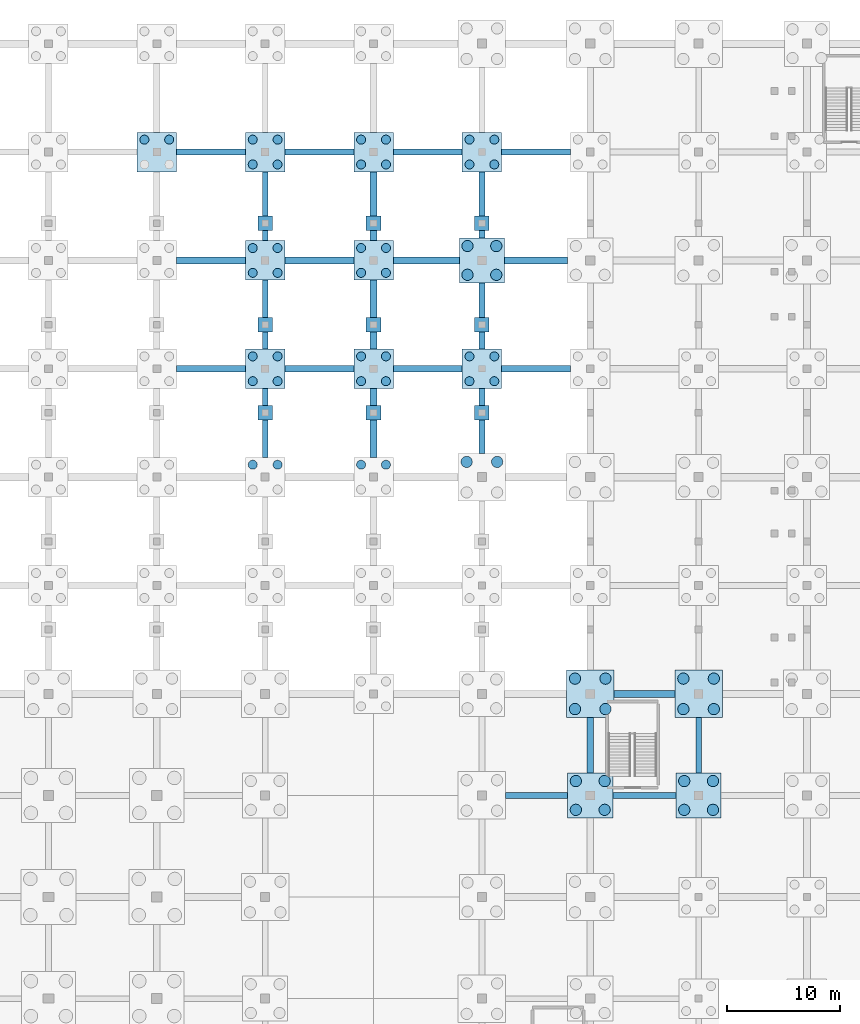
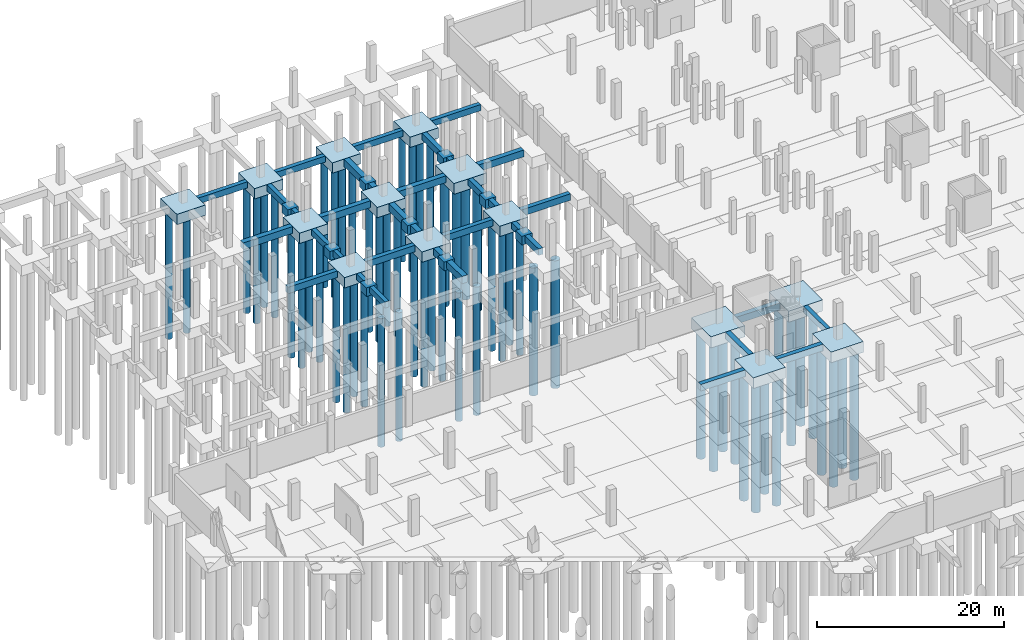
# One storey, part 8 of 39: 60 piles, 58 footings.
"""IFC4 building model written with IfcOpenShell, lengths in metres."""

from ifc_helpers import new_model, si_unit, direction, frame, origin, origin_2d, place, context, subcontext, project, spatial, polyline, rectangle, circle, outline, extrude, material, material_profile, profile_set, type_object, element, save


model = new_model("IFC4")

# Units and contexts
model_context = context("Model", 3, precision=1e-05, world=origin(), true_north=direction((0.0, 1.0)))
body_context = subcontext(model_context, "Body", "Model", "MODEL_VIEW")
ifc_project = project(units=[si_unit("LENGTHUNIT", "METRE"), si_unit("AREAUNIT", "SQUARE_METRE"), si_unit("VOLUMEUNIT", "CUBIC_METRE"), si_unit("PLANEANGLEUNIT", "RADIAN"), si_unit("MASSUNIT", "GRAM", prefix="KILO")], contexts=[model_context])

# Site, building, storey
site_placement = place(None, origin())
site = spatial("IfcSite", under=ifc_project, at=site_placement, CompositionType="ELEMENT")
building_placement = place(site_placement, origin())
building = spatial("IfcBuilding", under=site, at=building_placement, Name="Zarnetskaya Central Station", CompositionType="ELEMENT")
storey_placement = place(building_placement, frame((0.0, 0.0, -4.800048828125)))
storey = spatial("IfcBuildingStorey", under=building, at=storey_placement, Name="B1", CompositionType="ELEMENT", Elevation=-4.800048828125)

# Footings
ifc_material_1 = material(Name="Concrete C30/37", Category="concrete")
footing_type_1 = type_object("IfcFootingType", Name="FB-500x800", PredefinedType="FOOTING_BEAM", material=ifc_material_1)
footing_1_placement = place(storey_placement, frame((0.0, 0.0, -0.800048828125)))
element("IfcFooting", 1, at=footing_1_placement, inside=storey, type_object=footing_type_1, Name="Footing tie beam 14 D-E", PredefinedType="FOOTING_BEAM", context=body_context, shape_type="SweptSolid", body=[
    extrude(outline(polyline([(30.550048828125, 114.949951171875), (36.64990234375, 114.949951171875), (36.64990234375, 115.449951171875), (30.550048828125, 115.449951171875), (30.550048828125, 114.949951171875)])), origin(), (0.0, 0.0, 1.0), 0.800048828125),
])
footing_2_placement = place(storey_placement, frame((0.0, 0.0, -0.800048828125)))
element("IfcFooting", 2, at=footing_2_placement, inside=storey, type_object=footing_type_1, Name="Footing tie beam 14 E-F", PredefinedType="FOOTING_BEAM", context=body_context, shape_type="SweptSolid", body=[
    extrude(outline(polyline([(40.14990234375, 114.949951171875), (46.25, 114.949951171875), (46.25, 115.449951171875), (40.14990234375, 115.449951171875), (40.14990234375, 114.949951171875)])), origin(), (0.0, 0.0, 1.0), 0.800048828125),
])
footing_3_placement = place(storey_placement, frame((0.0, 0.0, -0.800048828125)))
element("IfcFooting", 3, at=footing_3_placement, inside=storey, type_object=footing_type_1, Name="Footing tie beam 14 F-G", PredefinedType="FOOTING_BEAM", context=body_context, shape_type="SweptSolid", body=[
    extrude(outline(polyline([(49.75, 114.949951171875), (55.85009765625, 114.949951171875), (55.85009765625, 115.449951171875), (49.75, 115.449951171875), (49.75, 114.949951171875)])), origin(), (0.0, 0.0, 1.0), 0.800048828125),
])
footing_4_placement = place(storey_placement, frame((0.0, 0.0, -0.800048828125)))
element("IfcFooting", 4, at=footing_4_placement, inside=storey, type_object=footing_type_1, Name="Footing tie beam 14 G-H", PredefinedType="FOOTING_BEAM", context=body_context, shape_type="SweptSolid", body=[
    extrude(outline(polyline([(59.35009765625, 114.949951171875), (65.449951171875, 114.949951171875), (65.449951171875, 115.449951171875), (59.35009765625, 115.449951171875), (59.35009765625, 114.949951171875)])), origin(), (0.0, 0.0, 1.0), 0.800048828125),
])
footing_5_placement = place(storey_placement, frame((0.0, 0.0, -0.800048828125)))
element("IfcFooting", 5, at=footing_5_placement, inside=storey, type_object=footing_type_1, Name="Footing tie beam E 11-12 part 1", PredefinedType="FOOTING_BEAM", context=body_context, shape_type="SweptSolid", body=[
    extrude(outline(polyline([(38.14990234375, 88.14990234375), (38.64990234375, 88.14990234375), (38.64990234375, 91.449951171875), (38.14990234375, 91.449951171875), (38.14990234375, 88.14990234375)])), origin(), (0.0, 0.0, 1.0), 0.800048828125),
])
footing_6_placement = place(storey_placement, frame((0.0, 0.0, -0.800048828125)))
element("IfcFooting", 6, at=footing_6_placement, inside=storey, type_object=footing_type_1, Name="Footing tie beam E 11-12 part 2", PredefinedType="FOOTING_BEAM", context=body_context, shape_type="SweptSolid", body=[
    extrude(outline(polyline([(38.14990234375, 92.75), (38.64990234375, 92.75), (38.64990234375, 94.25), (38.14990234375, 94.25), (38.14990234375, 92.75)])), origin(), (0.0, 0.0, 1.0), 0.800048828125),
])
footing_7_placement = place(storey_placement, frame((0.0, 0.0, -0.800048828125)))
element("IfcFooting", 7, at=footing_7_placement, inside=storey, type_object=footing_type_1, Name="Footing tie beam E 12-13 part 1", PredefinedType="FOOTING_BEAM", context=body_context, shape_type="SweptSolid", body=[
    extrude(outline(polyline([(38.14990234375, 97.75), (38.64990234375, 97.75), (38.64990234375, 99.25), (38.14990234375, 99.25), (38.14990234375, 97.75)])), origin(), (0.0, 0.0, 1.0), 0.800048828125),
])
footing_8_placement = place(storey_placement, frame((0.0, 0.0, -0.800048828125)))
element("IfcFooting", 8, at=footing_8_placement, inside=storey, type_object=footing_type_1, Name="Footing tie beam E 12-13 part 2", PredefinedType="FOOTING_BEAM", context=body_context, shape_type="SweptSolid", body=[
    extrude(outline(polyline([(38.14990234375, 100.550048828125), (38.64990234375, 100.550048828125), (38.64990234375, 103.85009765625), (38.14990234375, 103.85009765625), (38.14990234375, 100.550048828125)])), origin(), (0.0, 0.0, 1.0), 0.800048828125),
])
footing_9_placement = place(storey_placement, frame((0.0, 0.0, -0.800048828125)))
element("IfcFooting", 9, at=footing_9_placement, inside=storey, type_object=footing_type_1, Name="Footing tie beam E 13-14 part 1", PredefinedType="FOOTING_BEAM", context=body_context, shape_type="SweptSolid", body=[
    extrude(outline(polyline([(38.14990234375, 107.35009765625), (38.64990234375, 107.35009765625), (38.64990234375, 108.25), (38.14990234375, 108.25), (38.14990234375, 107.35009765625)])), origin(), (0.0, 0.0, 1.0), 0.800048828125),
])
footing_10_placement = place(storey_placement, frame((0.0, 0.0, -0.800048828125)))
element("IfcFooting", 10, at=footing_10_placement, inside=storey, type_object=footing_type_1, Name="Footing tie beam E 13-14 part 2", PredefinedType="FOOTING_BEAM", context=body_context, shape_type="SweptSolid", body=[
    extrude(outline(polyline([(38.14990234375, 109.550048828125), (38.64990234375, 109.550048828125), (38.64990234375, 113.449951171875), (38.14990234375, 113.449951171875), (38.14990234375, 109.550048828125)])), origin(), (0.0, 0.0, 1.0), 0.800048828125),
])
footing_11_placement = place(storey_placement, frame((0.0, 0.0, -0.800048828125)))
element("IfcFooting", 11, at=footing_11_placement, inside=storey, type_object=footing_type_1, Name="Footing tie beam J 8-9", PredefinedType="FOOTING_BEAM", context=body_context, shape_type="SweptSolid", body=[
    extrude(outline(polyline([(76.550048828125, 60.199951171875), (77.050048828125, 60.199951171875), (77.050048828125, 65.10009765625), (76.550048828125, 65.10009765625), (76.550048828125, 60.199951171875)])), origin(), (0.0, 0.0, 1.0), 0.800048828125),
])
footing_type_2 = type_object("IfcFootingType", Name="FB-550x850", PredefinedType="FOOTING_BEAM", material=ifc_material_1)
footing_12_placement = place(storey_placement, frame((0.0, 0.0, -0.849853515625)))
element("IfcFooting", 12, at=footing_12_placement, inside=storey, type_object=footing_type_2, Name="Footing tie beam 8 G-H", PredefinedType="FOOTING_BEAM", context=body_context, shape_type="SweptSolid", body=[
    extrude(outline(polyline([(59.699951171875, 57.925048828125), (65.199951171875, 57.925048828125), (65.199951171875, 58.47509765625), (59.699951171875, 58.47509765625), (59.699951171875, 57.925048828125)])), origin(), (0.0, 0.0, 1.0), 0.849853515625),
])
footing_13_placement = place(storey_placement, frame((0.0, 0.0, -0.849853515625)))
element("IfcFooting", 13, at=footing_13_placement, inside=storey, type_object=footing_type_2, Name="Footing tie beam 8 H-J", PredefinedType="FOOTING_BEAM", context=body_context, shape_type="SweptSolid", body=[
    extrude(outline(polyline([(69.199951171875, 57.925048828125), (74.800048828125, 57.925048828125), (74.800048828125, 58.47509765625), (69.199951171875, 58.47509765625), (69.199951171875, 57.925048828125)])), origin(), (0.0, 0.0, 1.0), 0.849853515625),
])
footing_14_placement = place(storey_placement, frame((0.0, 0.0, -0.849853515625)))
element("IfcFooting", 14, at=footing_14_placement, inside=storey, type_object=footing_type_2, Name="Footing tie beam 12 D-E", PredefinedType="FOOTING_BEAM", context=body_context, shape_type="SweptSolid", body=[
    extrude(outline(polyline([(30.550048828125, 95.72509765625), (36.64990234375, 95.72509765625), (36.64990234375, 96.27490234375), (30.550048828125, 96.27490234375), (30.550048828125, 95.72509765625)])), origin(), (0.0, 0.0, 1.0), 0.849853515625),
])
footing_15_placement = place(storey_placement, frame((0.0, 0.0, -0.849853515625)))
element("IfcFooting", 15, at=footing_15_placement, inside=storey, type_object=footing_type_2, Name="Footing tie beam 12 E-F", PredefinedType="FOOTING_BEAM", context=body_context, shape_type="SweptSolid", body=[
    extrude(outline(polyline([(40.14990234375, 95.72509765625), (46.25, 95.72509765625), (46.25, 96.27490234375), (40.14990234375, 96.27490234375), (40.14990234375, 95.72509765625)])), origin(), (0.0, 0.0, 1.0), 0.849853515625),
])
footing_16_placement = place(storey_placement, frame((0.0, 0.0, -0.849853515625)))
element("IfcFooting", 16, at=footing_16_placement, inside=storey, type_object=footing_type_2, Name="Footing tie beam 12 F-G", PredefinedType="FOOTING_BEAM", context=body_context, shape_type="SweptSolid", body=[
    extrude(outline(polyline([(49.75, 95.72509765625), (55.85009765625, 95.72509765625), (55.85009765625, 96.27490234375), (49.75, 96.27490234375), (49.75, 95.72509765625)])), origin(), (0.0, 0.0, 1.0), 0.849853515625),
])
footing_17_placement = place(storey_placement, frame((0.0, 0.0, -0.849853515625)))
element("IfcFooting", 17, at=footing_17_placement, inside=storey, type_object=footing_type_2, Name="Footing tie beam 12 G-H", PredefinedType="FOOTING_BEAM", context=body_context, shape_type="SweptSolid", body=[
    extrude(outline(polyline([(59.35009765625, 95.72509765625), (65.449951171875, 95.72509765625), (65.449951171875, 96.27490234375), (59.35009765625, 96.27490234375), (59.35009765625, 95.72509765625)])), origin(), (0.0, 0.0, 1.0), 0.849853515625),
])
footing_18_placement = place(storey_placement, frame((0.0, 0.0, -0.849853515625)))
element("IfcFooting", 18, at=footing_18_placement, inside=storey, type_object=footing_type_2, Name="Footing tie beam G 11-12 part 1", PredefinedType="FOOTING_BEAM", context=body_context, shape_type="SweptSolid", body=[
    extrude(outline(polyline([(57.324951171875, 88.5), (57.875, 88.5), (57.875, 91.449951171875), (57.324951171875, 91.449951171875), (57.324951171875, 88.5)])), origin(), (0.0, 0.0, 1.0), 0.849853515625),
])
footing_19_placement = place(storey_placement, frame((0.0, 0.0, -0.849853515625)))
element("IfcFooting", 19, at=footing_19_placement, inside=storey, type_object=footing_type_2, Name="Footing tie beam G 11-12 part 2", PredefinedType="FOOTING_BEAM", context=body_context, shape_type="SweptSolid", body=[
    extrude(outline(polyline([(57.324951171875, 92.75), (57.875, 92.75), (57.875, 94.25), (57.324951171875, 94.25), (57.324951171875, 92.75)])), origin(), (0.0, 0.0, 1.0), 0.849853515625),
])
footing_20_placement = place(storey_placement, frame((0.0, 0.0, -0.849853515625)))
element("IfcFooting", 20, at=footing_20_placement, inside=storey, type_object=footing_type_2, Name="Footing tie beam G 12-13 part 1", PredefinedType="FOOTING_BEAM", context=body_context, shape_type="SweptSolid", body=[
    extrude(outline(polyline([(57.324951171875, 97.75), (57.875, 97.75), (57.875, 99.25), (57.324951171875, 99.25), (57.324951171875, 97.75)])), origin(), (0.0, 0.0, 1.0), 0.849853515625),
])
footing_21_placement = place(storey_placement, frame((0.0, 0.0, -0.849853515625)))
element("IfcFooting", 21, at=footing_21_placement, inside=storey, type_object=footing_type_2, Name="Footing tie beam G 12-13 part 2", PredefinedType="FOOTING_BEAM", context=body_context, shape_type="SweptSolid", body=[
    extrude(outline(polyline([(57.324951171875, 100.550048828125), (57.875, 100.550048828125), (57.875, 103.60009765625), (57.324951171875, 103.60009765625), (57.324951171875, 100.550048828125)])), origin(), (0.0, 0.0, 1.0), 0.849853515625),
])
footing_22_placement = place(storey_placement, frame((0.0, 0.0, -0.849853515625)))
element("IfcFooting", 22, at=footing_22_placement, inside=storey, type_object=footing_type_2, Name="Footing tie beam G 13-14 part 1", PredefinedType="FOOTING_BEAM", context=body_context, shape_type="SweptSolid", body=[
    extrude(outline(polyline([(57.324951171875, 107.60009765625), (57.875, 107.60009765625), (57.875, 108.25), (57.324951171875, 108.25), (57.324951171875, 107.60009765625)])), origin(), (0.0, 0.0, 1.0), 0.849853515625),
])
footing_23_placement = place(storey_placement, frame((0.0, 0.0, -0.849853515625)))
element("IfcFooting", 23, at=footing_23_placement, inside=storey, type_object=footing_type_2, Name="Footing tie beam G 13-14 part 2", PredefinedType="FOOTING_BEAM", context=body_context, shape_type="SweptSolid", body=[
    extrude(outline(polyline([(57.324951171875, 109.550048828125), (57.875, 109.550048828125), (57.875, 113.449951171875), (57.324951171875, 113.449951171875), (57.324951171875, 109.550048828125)])), origin(), (0.0, 0.0, 1.0), 0.849853515625),
])
footing_type_3 = type_object("IfcFootingType", Name="FB-600x900", PredefinedType="FOOTING_BEAM", material=ifc_material_1)
footing_24_placement = place(storey_placement, frame((0.0, 0.0, -0.89990234375)))
element("IfcFooting", 24, at=footing_24_placement, inside=storey, type_object=footing_type_3, Name="Footing tie beam 9 H-J", PredefinedType="FOOTING_BEAM", context=body_context, shape_type="SweptSolid", body=[
    extrude(outline(polyline([(69.300048828125, 66.89990234375), (74.699951171875, 66.89990234375), (74.699951171875, 67.5), (69.300048828125, 67.5), (69.300048828125, 66.89990234375)])), origin(), (0.0, 0.0, 1.0), 0.89990234375),
])
footing_25_placement = place(storey_placement, frame((0.0, 0.0, -0.89990234375)))
element("IfcFooting", 25, at=footing_25_placement, inside=storey, type_object=footing_type_3, Name="Footing tie beam 13 D-E", PredefinedType="FOOTING_BEAM", context=body_context, shape_type="SweptSolid", body=[
    extrude(outline(polyline([(30.550048828125, 105.300048828125), (36.64990234375, 105.300048828125), (36.64990234375, 105.89990234375), (30.550048828125, 105.89990234375), (30.550048828125, 105.300048828125)])), origin(), (0.0, 0.0, 1.0), 0.89990234375),
])
footing_26_placement = place(storey_placement, frame((0.0, 0.0, -0.89990234375)))
element("IfcFooting", 26, at=footing_26_placement, inside=storey, type_object=footing_type_3, Name="Footing tie beam 13 E-F", PredefinedType="FOOTING_BEAM", context=body_context, shape_type="SweptSolid", body=[
    extrude(outline(polyline([(40.14990234375, 105.300048828125), (46.25, 105.300048828125), (46.25, 105.89990234375), (40.14990234375, 105.89990234375), (40.14990234375, 105.300048828125)])), origin(), (0.0, 0.0, 1.0), 0.89990234375),
])
footing_27_placement = place(storey_placement, frame((0.0, 0.0, -0.89990234375)))
element("IfcFooting", 27, at=footing_27_placement, inside=storey, type_object=footing_type_3, Name="Footing tie beam 13 F-G", PredefinedType="FOOTING_BEAM", context=body_context, shape_type="SweptSolid", body=[
    extrude(outline(polyline([(49.75, 105.300048828125), (55.60009765625, 105.300048828125), (55.60009765625, 105.89990234375), (49.75, 105.89990234375), (49.75, 105.300048828125)])), origin(), (0.0, 0.0, 1.0), 0.89990234375),
])
footing_28_placement = place(storey_placement, frame((0.0, 0.0, -0.89990234375)))
element("IfcFooting", 28, at=footing_28_placement, inside=storey, type_object=footing_type_3, Name="Footing tie beam 13 G-H", PredefinedType="FOOTING_BEAM", context=body_context, shape_type="SweptSolid", body=[
    extrude(outline(polyline([(59.60009765625, 105.300048828125), (65.199951171875, 105.300048828125), (65.199951171875, 105.89990234375), (59.60009765625, 105.89990234375), (59.60009765625, 105.300048828125)])), origin(), (0.0, 0.0, 1.0), 0.89990234375),
])
footing_29_placement = place(storey_placement, frame((0.0, 0.0, -0.89990234375)))
element("IfcFooting", 29, at=footing_29_placement, inside=storey, type_object=footing_type_3, Name="Footing tie beam H 8-9", PredefinedType="FOOTING_BEAM", context=body_context, shape_type="SweptSolid", body=[
    extrude(outline(polyline([(66.89990234375, 60.199951171875), (67.5, 60.199951171875), (67.5, 65.10009765625), (66.89990234375, 65.10009765625), (66.89990234375, 60.199951171875)])), origin(), (0.0, 0.0, 1.0), 0.89990234375),
])
footing_type_4 = type_object("IfcFootingType", Name="FB-650x950", PredefinedType="FOOTING_BEAM", material=ifc_material_1)
footing_30_placement = place(storey_placement, frame((0.0, 0.0, -0.949951171875)))
element("IfcFooting", 30, at=footing_30_placement, inside=storey, type_object=footing_type_4, Name="Footing tie beam F 11-12 part 1", PredefinedType="FOOTING_BEAM", context=body_context, shape_type="SweptSolid", body=[
    extrude(outline(polyline([(47.675048828125, 88.14990234375), (48.324951171875, 88.14990234375), (48.324951171875, 91.449951171875), (47.675048828125, 91.449951171875), (47.675048828125, 88.14990234375)])), origin(), (0.0, 0.0, 1.0), 0.949951171875),
])
footing_31_placement = place(storey_placement, frame((0.0, 0.0, -0.949951171875)))
element("IfcFooting", 31, at=footing_31_placement, inside=storey, type_object=footing_type_4, Name="Footing tie beam F 11-12 part 2", PredefinedType="FOOTING_BEAM", context=body_context, shape_type="SweptSolid", body=[
    extrude(outline(polyline([(47.675048828125, 92.75), (48.324951171875, 92.75), (48.324951171875, 94.25), (47.675048828125, 94.25), (47.675048828125, 92.75)])), origin(), (0.0, 0.0, 1.0), 0.949951171875),
])
footing_32_placement = place(storey_placement, frame((0.0, 0.0, -0.949951171875)))
element("IfcFooting", 32, at=footing_32_placement, inside=storey, type_object=footing_type_4, Name="Footing tie beam F 12-13 part 1", PredefinedType="FOOTING_BEAM", context=body_context, shape_type="SweptSolid", body=[
    extrude(outline(polyline([(47.675048828125, 97.75), (48.324951171875, 97.75), (48.324951171875, 99.25), (47.675048828125, 99.25), (47.675048828125, 97.75)])), origin(), (0.0, 0.0, 1.0), 0.949951171875),
])
footing_33_placement = place(storey_placement, frame((0.0, 0.0, -0.949951171875)))
element("IfcFooting", 33, at=footing_33_placement, inside=storey, type_object=footing_type_4, Name="Footing tie beam F 12-13 part 2", PredefinedType="FOOTING_BEAM", context=body_context, shape_type="SweptSolid", body=[
    extrude(outline(polyline([(47.675048828125, 100.550048828125), (48.324951171875, 100.550048828125), (48.324951171875, 103.85009765625), (47.675048828125, 103.85009765625), (47.675048828125, 100.550048828125)])), origin(), (0.0, 0.0, 1.0), 0.949951171875),
])
footing_34_placement = place(storey_placement, frame((0.0, 0.0, -0.949951171875)))
element("IfcFooting", 34, at=footing_34_placement, inside=storey, type_object=footing_type_4, Name="Footing tie beam F 13-14 part 1", PredefinedType="FOOTING_BEAM", context=body_context, shape_type="SweptSolid", body=[
    extrude(outline(polyline([(47.675048828125, 107.35009765625), (48.324951171875, 107.35009765625), (48.324951171875, 108.25), (47.675048828125, 108.25), (47.675048828125, 107.35009765625)])), origin(), (0.0, 0.0, 1.0), 0.949951171875),
])
footing_35_placement = place(storey_placement, frame((0.0, 0.0, -0.949951171875)))
element("IfcFooting", 35, at=footing_35_placement, inside=storey, type_object=footing_type_4, Name="Footing tie beam F 13-14 part 2", PredefinedType="FOOTING_BEAM", context=body_context, shape_type="SweptSolid", body=[
    extrude(outline(polyline([(47.675048828125, 109.550048828125), (48.324951171875, 109.550048828125), (48.324951171875, 113.449951171875), (47.675048828125, 113.449951171875), (47.675048828125, 109.550048828125)])), origin(), (0.0, 0.0, 1.0), 0.949951171875),
])
ifc_material_2 = material(Name="Concrete C35/45", Category="concrete")
footing_type_5 = type_object("IfcFootingType", Name="PAD-PIER-130", PredefinedType="PAD_FOOTING", material=ifc_material_2)
for number, where, z_axis, x_axis, name in (
    (36, (38.39990234375, 92.10009765625, -1.14990234375), (0.0, 0.0, 1.0), (1.0, 0.0, 0.0), "Platform pier pad P2-EN"),
    (37, (48.0, 92.10009765625, -1.14990234375), (0.0, 0.0, 1.0), (1.0, 0.0, 0.0), "Platform pier pad P2-FN"),
    (38, (57.60009765625, 92.10009765625, -1.14990234375), (0.0, 0.0, 1.0), (1.0, 0.0, 0.0), "Platform pier pad P2-GN"),
    (39, (38.39990234375, 99.89990234375, -1.14990234375), (0.0, 0.0, 1.0), (1.0, 0.0, 0.0), "Platform pier pad P3-ES"),
    (40, (38.39990234375, 108.89990234375, -1.14990234375), (0.0, 0.0, 1.0), (1.0, 0.0, 0.0), "Platform pier pad P3-EN"),
    (41, (48.0, 99.89990234375, -1.14990234375), (0.0, 0.0, 1.0), (1.0, 0.0, 0.0), "Platform pier pad P3-FS"),
    (42, (48.0, 108.89990234375, -1.14990234375), (0.0, 0.0, 1.0), (1.0, 0.0, 0.0), "Platform pier pad P3-FN"),
    (43, (57.60009765625, 99.89990234375, -1.14990234375), (0.0, 0.0, 1.0), (1.0, 0.0, 0.0), "Platform pier pad P3-GS"),
    (44, (57.60009765625, 108.89990234375, -1.14990234375), (0.0, 0.0, 1.0), (1.0, 0.0, 0.0), "Platform pier pad P3-GN"),
):
    element("IfcFooting", number, at=place(storey_placement, frame(where, z_axis=z_axis, x_axis=x_axis)), inside=storey, type_object=footing_type_5, Name=name, PredefinedType="PAD_FOOTING", context=body_context, shape_type="SweptSolid", body=[
        extrude(rectangle(XDim=1.300048828125, YDim=1.300048828125, at=origin_2d()), origin(), (0.0, 0.0, 1.0), 1.14990234375),
    ])
footing_type_6 = type_object("IfcFootingType", Name="PC-4P-1000A", PredefinedType="PILE_CAP", material=ifc_material_2)
for number, where, z_axis, x_axis, name in (
    (45, (67.199951171875, 67.199951171875, -1.44970703125), (0.0, 0.0, 1.0), (1.0, 0.0, 0.0), "Pile cap H9"),
    (46, (76.800048828125, 67.199951171875, -1.44970703125), (0.0, 0.0, 1.0), (1.0, 0.0, 0.0), "Pile cap J9"),
):
    element("IfcFooting", number, at=place(storey_placement, frame(where, z_axis=z_axis, x_axis=x_axis)), inside=storey, type_object=footing_type_6, Name=name, PredefinedType="PILE_CAP", context=body_context, shape_type="SweptSolid", body=[
        extrude(rectangle(XDim=4.199951171875, YDim=4.199951171875, at=origin_2d()), origin(), (0.0, 0.0, 1.0), 1.449951171875),
    ])
footing_type_7 = type_object("IfcFootingType", Name="PC-4P-1000B", PredefinedType="PILE_CAP", material=ifc_material_2)
for number, where, z_axis, x_axis, name in (
    (47, (57.60009765625, 105.60009765625, -1.39990234375), (0.0, 0.0, 1.0), (1.0, 0.0, 0.0), "Pile cap G13"),
    (48, (67.199951171875, 58.199951171875, -1.39990234375), (0.0, 0.0, 1.0), (1.0, 0.0, 0.0), "Pile cap H8"),
    (49, (76.800048828125, 58.199951171875, -1.39990234375), (0.0, 0.0, 1.0), (1.0, 0.0, 0.0), "Pile cap J8"),
):
    element("IfcFooting", number, at=place(storey_placement, frame(where, z_axis=z_axis, x_axis=x_axis)), inside=storey, type_object=footing_type_7, Name=name, PredefinedType="PILE_CAP", context=body_context, shape_type="SweptSolid", body=[
        extrude(rectangle(XDim=4.0, YDim=4.0, at=origin_2d()), origin(), (0.0, 0.0, 1.0), 1.39990234375),
    ])
footing_type_8 = type_object("IfcFootingType", Name="PC-4P-800A", PredefinedType="PILE_CAP", material=ifc_material_2)
for number, where, z_axis, x_axis, name in (
    (50, (28.800048828125, 115.199951171875, -1.35009765625), (0.0, 0.0, 1.0), (1.0, 0.0, 0.0), "Pile cap D14"),
    (51, (38.39990234375, 96.0, -1.35009765625), (0.0, 0.0, 1.0), (1.0, 0.0, 0.0), "Pile cap E12"),
    (52, (38.39990234375, 105.60009765625, -1.35009765625), (0.0, 0.0, 1.0), (1.0, 0.0, 0.0), "Pile cap E13"),
    (53, (38.39990234375, 115.199951171875, -1.35009765625), (0.0, 0.0, 1.0), (1.0, 0.0, 0.0), "Pile cap E14"),
    (54, (48.0, 96.0, -1.35009765625), (0.0, 0.0, 1.0), (1.0, 0.0, 0.0), "Pile cap F12"),
    (55, (48.0, 105.60009765625, -1.35009765625), (0.0, 0.0, 1.0), (1.0, 0.0, 0.0), "Pile cap F13"),
    (56, (48.0, 115.199951171875, -1.35009765625), (0.0, 0.0, 1.0), (1.0, 0.0, 0.0), "Pile cap F14"),
    (57, (57.60009765625, 96.0, -1.35009765625), (0.0, 0.0, 1.0), (1.0, 0.0, 0.0), "Pile cap G12"),
    (58, (57.60009765625, 115.199951171875, -1.35009765625), (0.0, 0.0, 1.0), (1.0, 0.0, 0.0), "Pile cap G14"),
):
    element("IfcFooting", number, at=place(storey_placement, frame(where, z_axis=z_axis, x_axis=x_axis)), inside=storey, type_object=footing_type_8, Name=name, PredefinedType="PILE_CAP", context=body_context, shape_type="SweptSolid", body=[
        extrude(rectangle(XDim=3.5, YDim=3.5, at=origin_2d()), origin(), (0.0, 0.0, 1.0), 1.35009765625),
    ])

# Piles
ifc_material_profile_1 = material_profile(ifc_material_2, circle(Radius=0.5, at=origin_2d()), Name="BORED PILE D1000")
ifc_profile_set_1 = profile_set([ifc_material_profile_1], Name="Concrete C35/45")
pile_type_1 = type_object("IfcPileType", Name="PILE-D1000", PredefinedType="BORED", material=ifc_profile_set_1)
for number, where, z_axis, x_axis, name in (
    (59, (56.25, 87.75, -1.300048828125), (0.0, 0.0, -1.0), (1.0, 0.0, 0.0), "Bored pile G11-12"),
    (60, (58.949951171875, 87.75, -1.300048828125), (0.0, 0.0, -1.0), (1.0, 0.0, 0.0), "Bored pile G11-22"),
):
    element("IfcPile", number, at=place(storey_placement, frame(where, z_axis=z_axis, x_axis=x_axis)), inside=storey, type_object=pile_type_1, Name=name, PredefinedType="BORED", context=body_context, shape_type="SweptSolid", body=[
        extrude(circle(Radius=0.5, at=origin_2d()), origin(), (0.0, 0.0, 1.0), 16.699951171875),
    ])
for number, where, z_axis, x_axis, name in (
    (61, (56.324951171875, 104.324951171875, -1.25), (0.0, 0.0, -1.0), (1.0, 0.0, 0.0), "Bored pile G13-11"),
    (62, (56.324951171875, 106.875, -1.25), (0.0, 0.0, -1.0), (1.0, 0.0, 0.0), "Bored pile G13-12"),
    (63, (58.875, 104.324951171875, -1.25), (0.0, 0.0, -1.0), (1.0, 0.0, 0.0), "Bored pile G13-21"),
    (64, (58.875, 106.875, -1.25), (0.0, 0.0, -1.0), (1.0, 0.0, 0.0), "Bored pile G13-22"),
    (65, (65.925048828125, 56.925048828125, -1.25), (0.0, 0.0, -1.0), (1.0, 0.0, 0.0), "Bored pile H8-11"),
    (66, (65.925048828125, 59.47509765625, -1.25), (0.0, 0.0, -1.0), (1.0, 0.0, 0.0), "Bored pile H8-12"),
    (67, (68.47509765625, 56.925048828125, -1.25), (0.0, 0.0, -1.0), (1.0, 0.0, 0.0), "Bored pile H8-21"),
    (68, (68.47509765625, 59.47509765625, -1.25), (0.0, 0.0, -1.0), (1.0, 0.0, 0.0), "Bored pile H8-22"),
):
    element("IfcPile", number, at=place(storey_placement, frame(where, z_axis=z_axis, x_axis=x_axis)), inside=storey, type_object=pile_type_1, Name=name, PredefinedType="BORED", context=body_context, shape_type="SweptSolid", body=[
        extrude(circle(Radius=0.5, at=origin_2d()), origin(), (0.0, 0.0, 1.0), 16.75),
    ])
for number, where, z_axis, x_axis, name in (
    (69, (65.85009765625, 65.85009765625, -1.300048828125), (0.0, 0.0, -1.0), (1.0, 0.0, 0.0), "Bored pile H9-11"),
    (70, (65.85009765625, 68.550048828125, -1.300048828125), (0.0, 0.0, -1.0), (1.0, 0.0, 0.0), "Bored pile H9-12"),
    (71, (68.550048828125, 65.85009765625, -1.300048828125), (0.0, 0.0, -1.0), (1.0, 0.0, 0.0), "Bored pile H9-21"),
    (72, (68.550048828125, 68.550048828125, -1.300048828125), (0.0, 0.0, -1.0), (1.0, 0.0, 0.0), "Bored pile H9-22"),
):
    element("IfcPile", number, at=place(storey_placement, frame(where, z_axis=z_axis, x_axis=x_axis)), inside=storey, type_object=pile_type_1, Name=name, PredefinedType="BORED", context=body_context, shape_type="SweptSolid", body=[
        extrude(circle(Radius=0.5, at=origin_2d()), origin(), (0.0, 0.0, 1.0), 16.699951171875),
    ])
for number, where, z_axis, x_axis, name in (
    (73, (75.52490234375, 56.925048828125, -1.25), (0.0, 0.0, -1.0), (1.0, 0.0, 0.0), "Bored pile J8-11"),
    (74, (75.52490234375, 59.47509765625, -1.25), (0.0, 0.0, -1.0), (1.0, 0.0, 0.0), "Bored pile J8-12"),
    (75, (78.074951171875, 56.925048828125, -1.25), (0.0, 0.0, -1.0), (1.0, 0.0, 0.0), "Bored pile J8-21"),
    (76, (78.074951171875, 59.47509765625, -1.25), (0.0, 0.0, -1.0), (1.0, 0.0, 0.0), "Bored pile J8-22"),
):
    element("IfcPile", number, at=place(storey_placement, frame(where, z_axis=z_axis, x_axis=x_axis)), inside=storey, type_object=pile_type_1, Name=name, PredefinedType="BORED", context=body_context, shape_type="SweptSolid", body=[
        extrude(circle(Radius=0.5, at=origin_2d()), origin(), (0.0, 0.0, 1.0), 16.75),
    ])
for number, where, z_axis, x_axis, name in (
    (77, (75.449951171875, 65.85009765625, -1.300048828125), (0.0, 0.0, -1.0), (1.0, 0.0, 0.0), "Bored pile J9-11"),
    (78, (75.449951171875, 68.550048828125, -1.300048828125), (0.0, 0.0, -1.0), (1.0, 0.0, 0.0), "Bored pile J9-12"),
    (79, (78.14990234375, 65.85009765625, -1.300048828125), (0.0, 0.0, -1.0), (1.0, 0.0, 0.0), "Bored pile J9-21"),
    (80, (78.14990234375, 68.550048828125, -1.300048828125), (0.0, 0.0, -1.0), (1.0, 0.0, 0.0), "Bored pile J9-22"),
):
    element("IfcPile", number, at=place(storey_placement, frame(where, z_axis=z_axis, x_axis=x_axis)), inside=storey, type_object=pile_type_1, Name=name, PredefinedType="BORED", context=body_context, shape_type="SweptSolid", body=[
        extrude(circle(Radius=0.5, at=origin_2d()), origin(), (0.0, 0.0, 1.0), 16.699951171875),
    ])
ifc_material_profile_2 = material_profile(ifc_material_2, circle(Radius=0.39990234375, at=origin_2d()), Name="BORED PILE D800")
ifc_profile_set_2 = profile_set([ifc_material_profile_2], Name="Concrete C35/45")
pile_type_2 = type_object("IfcPileType", Name="PILE-D800", PredefinedType="BORED", material=ifc_profile_set_2)
for number, where, z_axis, x_axis, name in (
    (81, (27.699951171875, 116.300048828125, -1.199951171875), (0.0, 0.0, -1.0), (1.0, 0.0, 0.0), "Bored pile D14-12"),
    (82, (29.89990234375, 116.300048828125, -1.199951171875), (0.0, 0.0, -1.0), (1.0, 0.0, 0.0), "Bored pile D14-22"),
    (83, (37.300048828125, 87.5, -1.199951171875), (0.0, 0.0, -1.0), (1.0, 0.0, 0.0), "Bored pile E11-12"),
    (84, (39.5, 87.5, -1.199951171875), (0.0, 0.0, -1.0), (1.0, 0.0, 0.0), "Bored pile E11-22"),
    (85, (37.300048828125, 94.89990234375, -1.199951171875), (0.0, 0.0, -1.0), (1.0, 0.0, 0.0), "Bored pile E12-11"),
    (86, (37.300048828125, 97.10009765625, -1.199951171875), (0.0, 0.0, -1.0), (1.0, 0.0, 0.0), "Bored pile E12-12"),
    (87, (39.5, 94.89990234375, -1.199951171875), (0.0, 0.0, -1.0), (1.0, 0.0, 0.0), "Bored pile E12-21"),
    (88, (39.5, 97.10009765625, -1.199951171875), (0.0, 0.0, -1.0), (1.0, 0.0, 0.0), "Bored pile E12-22"),
    (89, (37.300048828125, 104.5, -1.199951171875), (0.0, 0.0, -1.0), (1.0, 0.0, 0.0), "Bored pile E13-11"),
    (90, (37.300048828125, 106.699951171875, -1.199951171875), (0.0, 0.0, -1.0), (1.0, 0.0, 0.0), "Bored pile E13-12"),
    (91, (39.5, 104.5, -1.199951171875), (0.0, 0.0, -1.0), (1.0, 0.0, 0.0), "Bored pile E13-21"),
    (92, (39.5, 106.699951171875, -1.199951171875), (0.0, 0.0, -1.0), (1.0, 0.0, 0.0), "Bored pile E13-22"),
    (93, (37.300048828125, 114.10009765625, -1.199951171875), (0.0, 0.0, -1.0), (1.0, 0.0, 0.0), "Bored pile E14-11"),
    (94, (37.300048828125, 116.300048828125, -1.199951171875), (0.0, 0.0, -1.0), (1.0, 0.0, 0.0), "Bored pile E14-12"),
    (95, (39.5, 114.10009765625, -1.199951171875), (0.0, 0.0, -1.0), (1.0, 0.0, 0.0), "Bored pile E14-21"),
    (96, (39.5, 116.300048828125, -1.199951171875), (0.0, 0.0, -1.0), (1.0, 0.0, 0.0), "Bored pile E14-22"),
    (97, (46.89990234375, 87.5, -1.199951171875), (0.0, 0.0, -1.0), (1.0, 0.0, 0.0), "Bored pile F11-12"),
    (98, (49.10009765625, 87.5, -1.199951171875), (0.0, 0.0, -1.0), (1.0, 0.0, 0.0), "Bored pile F11-22"),
    (99, (46.89990234375, 94.89990234375, -1.199951171875), (0.0, 0.0, -1.0), (1.0, 0.0, 0.0), "Bored pile F12-11"),
    (100, (46.89990234375, 97.10009765625, -1.199951171875), (0.0, 0.0, -1.0), (1.0, 0.0, 0.0), "Bored pile F12-12"),
    (101, (49.10009765625, 94.89990234375, -1.199951171875), (0.0, 0.0, -1.0), (1.0, 0.0, 0.0), "Bored pile F12-21"),
    (102, (49.10009765625, 97.10009765625, -1.199951171875), (0.0, 0.0, -1.0), (1.0, 0.0, 0.0), "Bored pile F12-22"),
    (103, (46.89990234375, 104.5, -1.199951171875), (0.0, 0.0, -1.0), (1.0, 0.0, 0.0), "Bored pile F13-11"),
    (104, (46.89990234375, 106.699951171875, -1.199951171875), (0.0, 0.0, -1.0), (1.0, 0.0, 0.0), "Bored pile F13-12"),
    (105, (49.10009765625, 104.5, -1.199951171875), (0.0, 0.0, -1.0), (1.0, 0.0, 0.0), "Bored pile F13-21"),
    (106, (49.10009765625, 106.699951171875, -1.199951171875), (0.0, 0.0, -1.0), (1.0, 0.0, 0.0), "Bored pile F13-22"),
    (107, (46.89990234375, 114.10009765625, -1.199951171875), (0.0, 0.0, -1.0), (1.0, 0.0, 0.0), "Bored pile F14-11"),
    (108, (46.89990234375, 116.300048828125, -1.199951171875), (0.0, 0.0, -1.0), (1.0, 0.0, 0.0), "Bored pile F14-12"),
    (109, (49.10009765625, 114.10009765625, -1.199951171875), (0.0, 0.0, -1.0), (1.0, 0.0, 0.0), "Bored pile F14-21"),
    (110, (49.10009765625, 116.300048828125, -1.199951171875), (0.0, 0.0, -1.0), (1.0, 0.0, 0.0), "Bored pile F14-22"),
    (111, (56.5, 94.89990234375, -1.199951171875), (0.0, 0.0, -1.0), (1.0, 0.0, 0.0), "Bored pile G12-11"),
    (112, (56.5, 97.10009765625, -1.199951171875), (0.0, 0.0, -1.0), (1.0, 0.0, 0.0), "Bored pile G12-12"),
    (113, (58.699951171875, 94.89990234375, -1.199951171875), (0.0, 0.0, -1.0), (1.0, 0.0, 0.0), "Bored pile G12-21"),
    (114, (58.699951171875, 97.10009765625, -1.199951171875), (0.0, 0.0, -1.0), (1.0, 0.0, 0.0), "Bored pile G12-22"),
    (115, (56.5, 114.10009765625, -1.199951171875), (0.0, 0.0, -1.0), (1.0, 0.0, 0.0), "Bored pile G14-11"),
    (116, (56.5, 116.300048828125, -1.199951171875), (0.0, 0.0, -1.0), (1.0, 0.0, 0.0), "Bored pile G14-12"),
    (117, (58.699951171875, 114.10009765625, -1.199951171875), (0.0, 0.0, -1.0), (1.0, 0.0, 0.0), "Bored pile G14-21"),
    (118, (58.699951171875, 116.300048828125, -1.199951171875), (0.0, 0.0, -1.0), (1.0, 0.0, 0.0), "Bored pile G14-22"),
):
    element("IfcPile", number, at=place(storey_placement, frame(where, z_axis=z_axis, x_axis=x_axis)), inside=storey, type_object=pile_type_2, Name=name, PredefinedType="BORED", context=body_context, shape_type="SweptSolid", body=[
        extrude(circle(Radius=0.39990234375, at=origin_2d()), origin(), (0.0, 0.0, 1.0), 16.800048828125),
    ])

save(model, "model.ifc")
